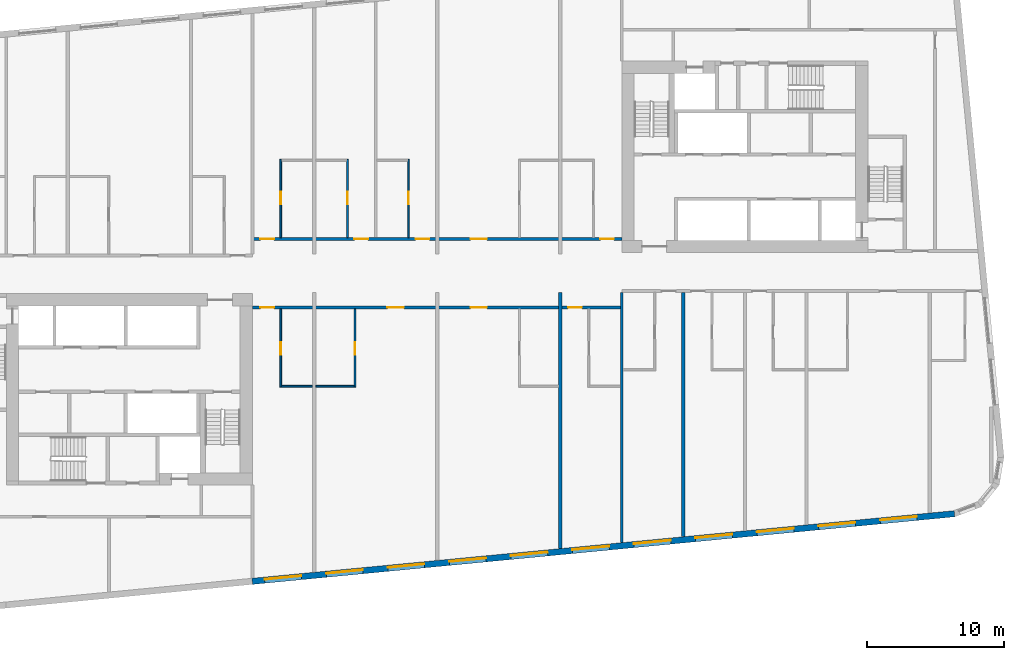
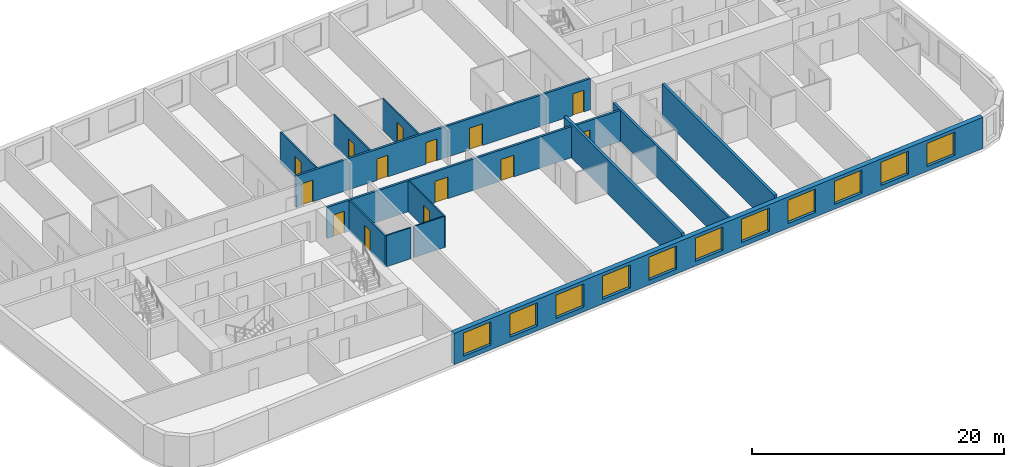
# One storey, part 4 of 12: 14 doors, 13 walls, 11 windows, 25 openings.
"""IFC4 building model written with IfcOpenShell, lengths in metres."""

from ifc_helpers import new_model, si_unit, direction, frame, frame_2d, origin, place, context, subcontext, project, spatial, rectangle, extrude, material, layer, layer_set, type_object, element, fill, save


model = new_model("IFC4")

# Units and contexts
model_context = context("Model", 3, precision=1e-05, world=origin(), true_north=direction((0.0, 1.0)))
body_context = subcontext(model_context, "Body", "Model", "MODEL_VIEW")
ifc_project = project(units=[si_unit("LENGTHUNIT", "METRE"), si_unit("AREAUNIT", "SQUARE_METRE"), si_unit("VOLUMEUNIT", "CUBIC_METRE"), si_unit("PLANEANGLEUNIT", "RADIAN"), si_unit("MASSUNIT", "GRAM", prefix="KILO")], contexts=[model_context])

# Site, building, storey
site_placement = place(None, origin())
site = spatial("IfcSite", under=ifc_project, at=site_placement, CompositionType="ELEMENT")
building_placement = place(site_placement, origin())
building = spatial("IfcBuilding", under=site, at=building_placement, Name="Kajstack Hotel Tower", CompositionType="ELEMENT")
storey_placement = place(building_placement, frame((0.0, 0.0, 173.5)))
storey = spatial("IfcBuildingStorey", under=building, at=storey_placement, Name="L40", CompositionType="ELEMENT", Elevation=173.5)

# Wall, openings, doors
ifc_material_1 = material(Name="Gypsum board on steel studs, mineral wool", Category="steel")
ifc_layer_1 = layer(ifc_material_1, 0.199951171875)
ifc_layer_set_1 = layer_set([ifc_layer_1], Name="Corridor wall 200")
wall_type_1 = type_object("IfcWallType", Name="Corridor wall 200", PredefinedType="PARTITIONING", material=ifc_layer_set_1)
wall_1_placement = place(storey_placement, frame((-13.5, 2.5, 0.0), z_axis=(0.0, 0.0, 1.0), x_axis=(1.0, 0.0, 0.0)))
wall_1 = element("IfcWall", 1, at=wall_1_placement, inside=storey, type_object=wall_type_1, Name="G-wall-L40-004", PredefinedType="PARTITIONING", context=body_context, shape_type="SweptSolid", body=[
    extrude(rectangle(XDim=27.0, YDim=0.199951171875, at=frame_2d((13.5, 0.0))), origin(), (0.0, 0.0, 1.0), 3.02001953125),
])
opening_1_placement = place(wall_1_placement, frame((0.574951171875, 0.0, 0.0)))
opening_1 = element("IfcOpeningElement", 2, at=opening_1_placement, cuts=wall_1, Name="Opening 40013", PredefinedType="OPENING", context=body_context, shape_type="SweptSolid", body=[
    extrude(rectangle(XDim=1.0, YDim=2.10009765625, at=frame_2d((0.5, 1.050048828125))), frame((0.0, 0.10986328125, 0.0), z_axis=(0.0, -1.0, 0.0), x_axis=(1.0, 0.0, 0.0)), (0.0, 0.0, 1.0), 0.219970703125),
])
opening_2_placement = place(wall_1_placement, frame((7.449951171875, 0.0, 0.0)))
opening_2 = element("IfcOpeningElement", 3, at=opening_2_placement, cuts=wall_1, Name="Opening 40015", PredefinedType="OPENING", context=body_context, shape_type="SweptSolid", body=[
    extrude(rectangle(XDim=1.0, YDim=2.10009765625, at=frame_2d((0.5, 1.050048828125))), frame((0.0, 0.10986328125, 0.0), z_axis=(0.0, -1.0, 0.0), x_axis=(1.0, 0.0, 0.0)), (0.0, 0.0, 1.0), 0.219970703125),
])
opening_3_placement = place(wall_1_placement, frame((11.925048828125, 0.0, 0.0)))
opening_3 = element("IfcOpeningElement", 4, at=opening_3_placement, cuts=wall_1, Name="Opening 40017", PredefinedType="OPENING", context=body_context, shape_type="SweptSolid", body=[
    extrude(rectangle(XDim=1.0, YDim=2.10009765625, at=frame_2d((0.5, 1.050048828125))), frame((0.0, 0.10986328125, 0.0), z_axis=(0.0, -1.0, 0.0), x_axis=(1.0, 0.0, 0.0)), (0.0, 0.0, 1.0), 0.219970703125),
])
opening_4_placement = place(wall_1_placement, frame((15.93798828125, 0.0, 0.0)))
opening_4 = element("IfcOpeningElement", 5, at=opening_4_placement, cuts=wall_1, Name="Opening 40019", PredefinedType="OPENING", context=body_context, shape_type="SweptSolid", body=[
    extrude(rectangle(XDim=1.199951171875, YDim=2.10009765625, at=frame_2d((0.60009765625, 1.050048828125))), frame((0.0, 0.10986328125, 0.0), z_axis=(0.0, -1.0, 0.0), x_axis=(1.0, 0.0, 0.0)), (0.0, 0.0, 1.0), 0.219970703125),
])
opening_5_placement = place(wall_1_placement, frame((25.425048828125, 0.0, 0.0)))
opening_5 = element("IfcOpeningElement", 6, at=opening_5_placement, cuts=wall_1, Name="Opening 40021", PredefinedType="OPENING", context=body_context, shape_type="SweptSolid", body=[
    extrude(rectangle(XDim=1.0, YDim=2.10009765625, at=frame_2d((0.5, 1.050048828125))), frame((0.0, 0.10986328125, 0.0), z_axis=(0.0, -1.0, 0.0), x_axis=(1.0, 0.0, 0.0)), (0.0, 0.0, 1.0), 0.219970703125),
])
ifc_material_2 = material(Name="Oak veneer on timber core, fire-rated leaf", Category="wood")
door_type_1 = type_object("IfcDoorType", Name="Flat entrance door 1000", OperationType="SINGLE_SWING_LEFT", PredefinedType="DOOR", material=ifc_material_2)
door_1_placement = place(opening_1_placement, origin())
door_1 = element("IfcDoor", 7, at=door_1_placement, inside=storey, type_object=door_type_1, Name="G-door-L40-13", OperationType="SINGLE_SWING_RIGHT", OverallHeight=2.10009765625, OverallWidth=1.0, PredefinedType="DOOR", context=body_context, shape_type="SweptSolid", body=[
    extrude(rectangle(XDim=1.0, YDim=2.10009765625, at=frame_2d((0.5, 1.050048828125))), frame((0.0, 0.02490234375, 0.0), z_axis=(0.0, -1.0, 0.0), x_axis=(1.0, 0.0, 0.0)), (0.0, 0.0, 1.0), 0.050048828125),
])
fill(opening_1, door_1)
door_2_placement = place(opening_2_placement, origin())
door_2 = element("IfcDoor", 8, at=door_2_placement, inside=storey, type_object=door_type_1, Name="G-door-L40-15", OperationType="SINGLE_SWING_LEFT", OverallHeight=2.10009765625, OverallWidth=1.0, PredefinedType="DOOR", context=body_context, shape_type="SweptSolid", body=[
    extrude(rectangle(XDim=1.0, YDim=2.10009765625, at=frame_2d((0.5, 1.050048828125))), frame((0.0, 0.02490234375, 0.0), z_axis=(0.0, -1.0, 0.0), x_axis=(1.0, 0.0, 0.0)), (0.0, 0.0, 1.0), 0.050048828125),
])
fill(opening_2, door_2)
door_3_placement = place(opening_3_placement, origin())
door_3 = element("IfcDoor", 9, at=door_3_placement, inside=storey, type_object=door_type_1, Name="G-door-L40-17", OperationType="SINGLE_SWING_RIGHT", OverallHeight=2.10009765625, OverallWidth=1.0, PredefinedType="DOOR", context=body_context, shape_type="SweptSolid", body=[
    extrude(rectangle(XDim=1.0, YDim=2.10009765625, at=frame_2d((0.5, 1.050048828125))), frame((0.0, 0.02490234375, 0.0), z_axis=(0.0, -1.0, 0.0), x_axis=(1.0, 0.0, 0.0)), (0.0, 0.0, 1.0), 0.050048828125),
])
fill(opening_3, door_3)
door_4_placement = place(opening_5_placement, origin())
door_4 = element("IfcDoor", 10, at=door_4_placement, inside=storey, type_object=door_type_1, Name="G-door-L40-21", OperationType="SINGLE_SWING_LEFT", OverallHeight=2.10009765625, OverallWidth=1.0, PredefinedType="DOOR", context=body_context, shape_type="SweptSolid", body=[
    extrude(rectangle(XDim=1.0, YDim=2.10009765625, at=frame_2d((0.5, 1.050048828125))), frame((0.0, 0.02490234375, 0.0), z_axis=(0.0, -1.0, 0.0), x_axis=(1.0, 0.0, 0.0)), (0.0, 0.0, 1.0), 0.050048828125),
])
fill(opening_5, door_4)
door_type_2 = type_object("IfcDoorType", Name="Flat entrance door 1200", OperationType="SINGLE_SWING_LEFT", PredefinedType="DOOR", material=ifc_material_2)
door_5_placement = place(opening_4_placement, origin())
door_5 = element("IfcDoor", 11, at=door_5_placement, inside=storey, type_object=door_type_2, Name="G-door-L40-19", OperationType="SINGLE_SWING_RIGHT", OverallHeight=2.10009765625, OverallWidth=1.199951171875, PredefinedType="DOOR", context=body_context, shape_type="SweptSolid", body=[
    extrude(rectangle(XDim=1.199951171875, YDim=2.10009765625, at=frame_2d((0.60009765625, 1.050048828125))), frame((0.0, 0.02490234375, 0.0), z_axis=(0.0, -1.0, 0.0), x_axis=(1.0, 0.0, 0.0)), (0.0, 0.0, 1.0), 0.050048828125),
])
fill(opening_4, door_5)

wall_2_placement = place(storey_placement, frame((-13.5, -2.5, 0.0), z_axis=(0.0, 0.0, 1.0), x_axis=(1.0, 0.0, 0.0)))
wall_2 = element("IfcWall", 12, at=wall_2_placement, inside=storey, type_object=wall_type_1, Name="G-wall-L40-031", PredefinedType="PARTITIONING", context=body_context, shape_type="SweptSolid", body=[
    extrude(rectangle(XDim=27.0, YDim=0.199951171875, at=frame_2d((13.5, 0.0))), origin(), (0.0, 0.0, 1.0), 3.02001953125),
])
opening_6_placement = place(wall_2_placement, frame((0.574951171875, 0.0, 0.0)))
opening_6 = element("IfcOpeningElement", 13, at=opening_6_placement, cuts=wall_2, Name="Opening 40023", PredefinedType="OPENING", context=body_context, shape_type="SweptSolid", body=[
    extrude(rectangle(XDim=1.0, YDim=2.10009765625, at=frame_2d((0.5, 1.050048828125))), frame((0.0, 0.10986328125, 0.0), z_axis=(0.0, -1.0, 0.0), x_axis=(1.0, 0.0, 0.0)), (0.0, 0.0, 1.0), 0.219970703125),
])
opening_7_placement = place(wall_2_placement, frame((9.863037109375, 0.0, 0.0)))
opening_7 = element("IfcOpeningElement", 14, at=opening_7_placement, cuts=wall_2, Name="Opening 40025", PredefinedType="OPENING", context=body_context, shape_type="SweptSolid", body=[
    extrude(rectangle(XDim=1.199951171875, YDim=2.10009765625, at=frame_2d((0.60009765625, 1.050048828125))), frame((0.0, 0.10986328125, 0.0), z_axis=(0.0, -1.0, 0.0), x_axis=(1.0, 0.0, 0.0)), (0.0, 0.0, 1.0), 0.219970703125),
])
opening_8_placement = place(wall_2_placement, frame((15.93798828125, 0.0, 0.0)))
opening_8 = element("IfcOpeningElement", 15, at=opening_8_placement, cuts=wall_2, Name="Opening 40027", PredefinedType="OPENING", context=body_context, shape_type="SweptSolid", body=[
    extrude(rectangle(XDim=1.199951171875, YDim=2.10009765625, at=frame_2d((0.60009765625, 1.050048828125))), frame((0.0, 0.10986328125, 0.0), z_axis=(0.0, -1.0, 0.0), x_axis=(1.0, 0.0, 0.0)), (0.0, 0.0, 1.0), 0.219970703125),
])
opening_9_placement = place(wall_2_placement, frame((23.074951171875, 0.0, 0.0)))
opening_9 = element("IfcOpeningElement", 16, at=opening_9_placement, cuts=wall_2, Name="Opening 40029", PredefinedType="OPENING", context=body_context, shape_type="SweptSolid", body=[
    extrude(rectangle(XDim=1.0, YDim=2.10009765625, at=frame_2d((0.5, 1.050048828125))), frame((0.0, 0.10986328125, 0.0), z_axis=(0.0, -1.0, 0.0), x_axis=(1.0, 0.0, 0.0)), (0.0, 0.0, 1.0), 0.219970703125),
])
door_6_placement = place(opening_6_placement, origin())
door_6 = element("IfcDoor", 17, at=door_6_placement, inside=storey, type_object=door_type_1, Name="G-door-L40-23", OperationType="SINGLE_SWING_LEFT", OverallHeight=2.10009765625, OverallWidth=1.0, PredefinedType="DOOR", context=body_context, shape_type="SweptSolid", body=[
    extrude(rectangle(XDim=1.0, YDim=2.10009765625, at=frame_2d((0.5, 1.050048828125))), frame((0.0, 0.02490234375, 0.0), z_axis=(0.0, -1.0, 0.0), x_axis=(1.0, 0.0, 0.0)), (0.0, 0.0, 1.0), 0.050048828125),
])
fill(opening_6, door_6)
door_7_placement = place(opening_9_placement, origin())
door_7 = element("IfcDoor", 18, at=door_7_placement, inside=storey, type_object=door_type_1, Name="G-door-L40-29", OperationType="SINGLE_SWING_RIGHT", OverallHeight=2.10009765625, OverallWidth=1.0, PredefinedType="DOOR", context=body_context, shape_type="SweptSolid", body=[
    extrude(rectangle(XDim=1.0, YDim=2.10009765625, at=frame_2d((0.5, 1.050048828125))), frame((0.0, 0.02490234375, 0.0), z_axis=(0.0, -1.0, 0.0), x_axis=(1.0, 0.0, 0.0)), (0.0, 0.0, 1.0), 0.050048828125),
])
fill(opening_9, door_7)
door_8_placement = place(opening_7_placement, origin())
door_8 = element("IfcDoor", 19, at=door_8_placement, inside=storey, type_object=door_type_2, Name="G-door-L40-25", OperationType="SINGLE_SWING_LEFT", OverallHeight=2.10009765625, OverallWidth=1.199951171875, PredefinedType="DOOR", context=body_context, shape_type="SweptSolid", body=[
    extrude(rectangle(XDim=1.199951171875, YDim=2.10009765625, at=frame_2d((0.60009765625, 1.050048828125))), frame((0.0, 0.02490234375, 0.0), z_axis=(0.0, -1.0, 0.0), x_axis=(1.0, 0.0, 0.0)), (0.0, 0.0, 1.0), 0.050048828125),
])
fill(opening_7, door_8)
door_9_placement = place(opening_8_placement, origin())
door_9 = element("IfcDoor", 20, at=door_9_placement, inside=storey, type_object=door_type_2, Name="G-door-L40-27", OperationType="SINGLE_SWING_LEFT", OverallHeight=2.10009765625, OverallWidth=1.199951171875, PredefinedType="DOOR", context=body_context, shape_type="SweptSolid", body=[
    extrude(rectangle(XDim=1.199951171875, YDim=2.10009765625, at=frame_2d((0.60009765625, 1.050048828125))), frame((0.0, 0.02490234375, 0.0), z_axis=(0.0, -1.0, 0.0), x_axis=(1.0, 0.0, 0.0)), (0.0, 0.0, 1.0), 0.050048828125),
])
fill(opening_8, door_9)

# Wall
ifc_material_3 = material(Name="Twin-frame gypsum board on steel studs, mineral wool", Category="steel")
ifc_layer_2 = layer(ifc_material_3, 0.199951171875)
ifc_layer_set_2 = layer_set([ifc_layer_2], Name="Demising wall 200")
wall_type_2 = type_object("IfcWallType", Name="Demising wall 200", PredefinedType="PARTITIONING", material=ifc_layer_set_2)
wall_3_placement = place(storey_placement, frame((13.5, -19.700927734375, 0.0), z_axis=(0.0, 0.0, 1.0), x_axis=(0.0, 1.0, 0.0)))
element("IfcWall", 21, at=wall_3_placement, inside=storey, type_object=wall_type_2, Name="G-wall-L40-039", PredefinedType="PARTITIONING", context=body_context, shape_type="SweptSolid", body=[
    extrude(rectangle(XDim=18.301025390625, YDim=0.199951171875, at=frame_2d((9.150390625, 0.0))), origin(), (0.0, 0.0, 1.0), 3.02001953125),
])

# Wall, openings, windows
ifc_material_4 = material(Name="Terracotta-faced brick masonry", Category="masonry")
ifc_layer_3 = layer(ifc_material_4, 0.449951171875)
ifc_layer_set_3 = layer_set([ifc_layer_3], Name="EW-TERRA")
wall_type_3 = type_object("IfcWallType", Name="EW-TERRA", PredefinedType="SOLIDWALL", material=ifc_layer_set_3)
wall_4_placement = place(storey_placement, frame((-13.521484375, -22.528564453125, 0.0), z_axis=(0.0, 0.0, 1.0), x_axis=(0.995396436651, 0.095843277819, 0.0)))
wall_4 = element("IfcWall", 22, at=wall_4_placement, inside=storey, type_object=wall_type_3, Name="E-wall-L40-04-02", PredefinedType="SOLIDWALL", context=body_context, shape_type="SweptSolid", body=[
    extrude(rectangle(XDim=51.57763671875, YDim=0.449951171875, at=frame_2d((25.788818359375, 0.0))), origin(), (0.0, 0.0, 1.0), 3.02001953125),
])
opening_10_placement = place(wall_4_placement, frame((0.910400390625, 0.0, 0.449951171875)))
opening_10 = element("IfcOpeningElement", 23, at=opening_10_placement, cuts=wall_4, Name="Opening W1", PredefinedType="OPENING", context=body_context, shape_type="SweptSolid", body=[
    extrude(rectangle(XDim=2.699951171875, YDim=2.25, at=frame_2d((1.35009765625, 1.125))), frame((0.0, 0.23486328125, 0.0), z_axis=(0.0, -1.0, 0.0), x_axis=(1.0, 0.0, 0.0)), (0.0, 0.0, 1.0), 0.469970703125),
])
opening_11_placement = place(wall_4_placement, frame((5.431396484375, 0.0, 0.449951171875)))
opening_11 = element("IfcOpeningElement", 24, at=opening_11_placement, cuts=wall_4, Name="Opening W1", PredefinedType="OPENING", context=body_context, shape_type="SweptSolid", body=[
    extrude(rectangle(XDim=2.699951171875, YDim=2.25, at=frame_2d((1.35009765625, 1.125))), frame((0.0, 0.23486328125, 0.0), z_axis=(0.0, -1.0, 0.0), x_axis=(1.0, 0.0, 0.0)), (0.0, 0.0, 1.0), 0.469970703125),
])
opening_12_placement = place(wall_4_placement, frame((9.9521484375, 0.0, 0.449951171875)))
opening_12 = element("IfcOpeningElement", 25, at=opening_12_placement, cuts=wall_4, Name="Opening W1", PredefinedType="OPENING", context=body_context, shape_type="SweptSolid", body=[
    extrude(rectangle(XDim=2.699951171875, YDim=2.25, at=frame_2d((1.35009765625, 1.125))), frame((0.0, 0.23486328125, 0.0), z_axis=(0.0, -1.0, 0.0), x_axis=(1.0, 0.0, 0.0)), (0.0, 0.0, 1.0), 0.469970703125),
])
opening_13_placement = place(wall_4_placement, frame((14.472900390625, 0.0, 0.449951171875)))
opening_13 = element("IfcOpeningElement", 26, at=opening_13_placement, cuts=wall_4, Name="Opening W1", PredefinedType="OPENING", context=body_context, shape_type="SweptSolid", body=[
    extrude(rectangle(XDim=2.699951171875, YDim=2.25, at=frame_2d((1.35009765625, 1.125))), frame((0.0, 0.23486328125, 0.0), z_axis=(0.0, -1.0, 0.0), x_axis=(1.0, 0.0, 0.0)), (0.0, 0.0, 1.0), 0.469970703125),
])
opening_14_placement = place(wall_4_placement, frame((18.99365234375, 0.0, 0.449951171875)))
opening_14 = element("IfcOpeningElement", 27, at=opening_14_placement, cuts=wall_4, Name="Opening W1", PredefinedType="OPENING", context=body_context, shape_type="SweptSolid", body=[
    extrude(rectangle(XDim=2.699951171875, YDim=2.25, at=frame_2d((1.35009765625, 1.125))), frame((0.0, 0.23486328125, 0.0), z_axis=(0.0, -1.0, 0.0), x_axis=(1.0, 0.0, 0.0)), (0.0, 0.0, 1.0), 0.469970703125),
])
opening_15_placement = place(wall_4_placement, frame((23.514404296875, 0.0, 0.449951171875)))
opening_15 = element("IfcOpeningElement", 28, at=opening_15_placement, cuts=wall_4, Name="Opening W1", PredefinedType="OPENING", context=body_context, shape_type="SweptSolid", body=[
    extrude(rectangle(XDim=2.699951171875, YDim=2.25, at=frame_2d((1.35009765625, 1.125))), frame((0.0, 0.23486328125, 0.0), z_axis=(0.0, -1.0, 0.0), x_axis=(1.0, 0.0, 0.0)), (0.0, 0.0, 1.0), 0.469970703125),
])
opening_16_placement = place(wall_4_placement, frame((28.035400390625, 0.0, 0.449951171875)))
opening_16 = element("IfcOpeningElement", 29, at=opening_16_placement, cuts=wall_4, Name="Opening W1", PredefinedType="OPENING", context=body_context, shape_type="SweptSolid", body=[
    extrude(rectangle(XDim=2.699951171875, YDim=2.25, at=frame_2d((1.35009765625, 1.125))), frame((0.0, 0.23486328125, 0.0), z_axis=(0.0, -1.0, 0.0), x_axis=(1.0, 0.0, 0.0)), (0.0, 0.0, 1.0), 0.469970703125),
])
opening_17_placement = place(wall_4_placement, frame((32.55615234375, 0.0, 0.449951171875)))
opening_17 = element("IfcOpeningElement", 30, at=opening_17_placement, cuts=wall_4, Name="Opening W1", PredefinedType="OPENING", context=body_context, shape_type="SweptSolid", body=[
    extrude(rectangle(XDim=2.699951171875, YDim=2.25, at=frame_2d((1.35009765625, 1.125))), frame((0.0, 0.23486328125, 0.0), z_axis=(0.0, -1.0, 0.0), x_axis=(1.0, 0.0, 0.0)), (0.0, 0.0, 1.0), 0.469970703125),
])
opening_18_placement = place(wall_4_placement, frame((37.076904296875, 0.0, 0.449951171875)))
opening_18 = element("IfcOpeningElement", 31, at=opening_18_placement, cuts=wall_4, Name="Opening W1", PredefinedType="OPENING", context=body_context, shape_type="SweptSolid", body=[
    extrude(rectangle(XDim=2.699951171875, YDim=2.25, at=frame_2d((1.35009765625, 1.125))), frame((0.0, 0.23486328125, 0.0), z_axis=(0.0, -1.0, 0.0), x_axis=(1.0, 0.0, 0.0)), (0.0, 0.0, 1.0), 0.469970703125),
])
opening_19_placement = place(wall_4_placement, frame((41.597900390625, 0.0, 0.449951171875)))
opening_19 = element("IfcOpeningElement", 32, at=opening_19_placement, cuts=wall_4, Name="Opening W1", PredefinedType="OPENING", context=body_context, shape_type="SweptSolid", body=[
    extrude(rectangle(XDim=2.699951171875, YDim=2.25, at=frame_2d((1.35009765625, 1.125))), frame((0.0, 0.23486328125, 0.0), z_axis=(0.0, -1.0, 0.0), x_axis=(1.0, 0.0, 0.0)), (0.0, 0.0, 1.0), 0.469970703125),
])
opening_20_placement = place(wall_4_placement, frame((46.11865234375, 0.0, 0.449951171875)))
opening_20 = element("IfcOpeningElement", 33, at=opening_20_placement, cuts=wall_4, Name="Opening W1", PredefinedType="OPENING", context=body_context, shape_type="SweptSolid", body=[
    extrude(rectangle(XDim=2.699951171875, YDim=2.25, at=frame_2d((1.35009765625, 1.125))), frame((0.0, 0.23486328125, 0.0), z_axis=(0.0, -1.0, 0.0), x_axis=(1.0, 0.0, 0.0)), (0.0, 0.0, 1.0), 0.469970703125),
])
ifc_material_5 = material(Name="Timber-aluminium window, triple glazed", Category="wood")
window_type = type_object("IfcWindowType", Name="WG1", PartitioningType="SINGLE_PANEL", PredefinedType="WINDOW", material=ifc_material_5)
window_1_placement = place(opening_10_placement, origin())
window_1 = element("IfcWindow", 34, at=window_1_placement, inside=storey, type_object=window_type, Name="Window W1 L40-04", OverallHeight=2.25, OverallWidth=2.699951171875, PartitioningType="SINGLE_PANEL", PredefinedType="WINDOW", context=body_context, shape_type="SweptSolid", body=[
    extrude(rectangle(XDim=2.699951171875, YDim=2.25, at=frame_2d((1.35009765625, 1.125))), frame((0.0, 0.090087890625, 0.0), z_axis=(0.0, -1.0, 0.0), x_axis=(1.0, 0.0, 0.0)), (0.0, 0.0, 1.0), 0.06005859375),
])
fill(opening_10, window_1)
window_2_placement = place(opening_11_placement, origin())
window_2 = element("IfcWindow", 35, at=window_2_placement, inside=storey, type_object=window_type, Name="Window W1 L40-04", OverallHeight=2.25, OverallWidth=2.699951171875, PartitioningType="SINGLE_PANEL", PredefinedType="WINDOW", context=body_context, shape_type="SweptSolid", body=[
    extrude(rectangle(XDim=2.699951171875, YDim=2.25, at=frame_2d((1.35009765625, 1.125))), frame((0.0, 0.090087890625, 0.0), z_axis=(0.0, -1.0, 0.0), x_axis=(1.0, 0.0, 0.0)), (0.0, 0.0, 1.0), 0.06005859375),
])
fill(opening_11, window_2)
window_3_placement = place(opening_12_placement, origin())
window_3 = element("IfcWindow", 36, at=window_3_placement, inside=storey, type_object=window_type, Name="Window W1 L40-04", OverallHeight=2.25, OverallWidth=2.699951171875, PartitioningType="SINGLE_PANEL", PredefinedType="WINDOW", context=body_context, shape_type="SweptSolid", body=[
    extrude(rectangle(XDim=2.699951171875, YDim=2.25, at=frame_2d((1.35009765625, 1.125))), frame((0.0, 0.090087890625, 0.0), z_axis=(0.0, -1.0, 0.0), x_axis=(1.0, 0.0, 0.0)), (0.0, 0.0, 1.0), 0.06005859375),
])
fill(opening_12, window_3)
window_4_placement = place(opening_13_placement, origin())
window_4 = element("IfcWindow", 37, at=window_4_placement, inside=storey, type_object=window_type, Name="Window W1 L40-04", OverallHeight=2.25, OverallWidth=2.699951171875, PartitioningType="SINGLE_PANEL", PredefinedType="WINDOW", context=body_context, shape_type="SweptSolid", body=[
    extrude(rectangle(XDim=2.699951171875, YDim=2.25, at=frame_2d((1.35009765625, 1.125))), frame((0.0, 0.090087890625, 0.0), z_axis=(0.0, -1.0, 0.0), x_axis=(1.0, 0.0, 0.0)), (0.0, 0.0, 1.0), 0.06005859375),
])
fill(opening_13, window_4)
window_5_placement = place(opening_14_placement, origin())
window_5 = element("IfcWindow", 38, at=window_5_placement, inside=storey, type_object=window_type, Name="Window W1 L40-04", OverallHeight=2.25, OverallWidth=2.699951171875, PartitioningType="SINGLE_PANEL", PredefinedType="WINDOW", context=body_context, shape_type="SweptSolid", body=[
    extrude(rectangle(XDim=2.699951171875, YDim=2.25, at=frame_2d((1.35009765625, 1.125))), frame((0.0, 0.090087890625, 0.0), z_axis=(0.0, -1.0, 0.0), x_axis=(1.0, 0.0, 0.0)), (0.0, 0.0, 1.0), 0.06005859375),
])
fill(opening_14, window_5)
window_6_placement = place(opening_15_placement, origin())
window_6 = element("IfcWindow", 39, at=window_6_placement, inside=storey, type_object=window_type, Name="Window W1 L40-04", OverallHeight=2.25, OverallWidth=2.699951171875, PartitioningType="SINGLE_PANEL", PredefinedType="WINDOW", context=body_context, shape_type="SweptSolid", body=[
    extrude(rectangle(XDim=2.699951171875, YDim=2.25, at=frame_2d((1.35009765625, 1.125))), frame((0.0, 0.090087890625, 0.0), z_axis=(0.0, -1.0, 0.0), x_axis=(1.0, 0.0, 0.0)), (0.0, 0.0, 1.0), 0.06005859375),
])
fill(opening_15, window_6)
window_7_placement = place(opening_16_placement, origin())
window_7 = element("IfcWindow", 40, at=window_7_placement, inside=storey, type_object=window_type, Name="Window W1 L40-04", OverallHeight=2.25, OverallWidth=2.699951171875, PartitioningType="SINGLE_PANEL", PredefinedType="WINDOW", context=body_context, shape_type="SweptSolid", body=[
    extrude(rectangle(XDim=2.699951171875, YDim=2.25, at=frame_2d((1.35009765625, 1.125))), frame((0.0, 0.090087890625, 0.0), z_axis=(0.0, -1.0, 0.0), x_axis=(1.0, 0.0, 0.0)), (0.0, 0.0, 1.0), 0.06005859375),
])
fill(opening_16, window_7)
window_8_placement = place(opening_17_placement, origin())
window_8 = element("IfcWindow", 41, at=window_8_placement, inside=storey, type_object=window_type, Name="Window W1 L40-04", OverallHeight=2.25, OverallWidth=2.699951171875, PartitioningType="SINGLE_PANEL", PredefinedType="WINDOW", context=body_context, shape_type="SweptSolid", body=[
    extrude(rectangle(XDim=2.699951171875, YDim=2.25, at=frame_2d((1.35009765625, 1.125))), frame((0.0, 0.090087890625, 0.0), z_axis=(0.0, -1.0, 0.0), x_axis=(1.0, 0.0, 0.0)), (0.0, 0.0, 1.0), 0.06005859375),
])
fill(opening_17, window_8)
window_9_placement = place(opening_18_placement, origin())
window_9 = element("IfcWindow", 42, at=window_9_placement, inside=storey, type_object=window_type, Name="Window W1 L40-04", OverallHeight=2.25, OverallWidth=2.699951171875, PartitioningType="SINGLE_PANEL", PredefinedType="WINDOW", context=body_context, shape_type="SweptSolid", body=[
    extrude(rectangle(XDim=2.699951171875, YDim=2.25, at=frame_2d((1.35009765625, 1.125))), frame((0.0, 0.090087890625, 0.0), z_axis=(0.0, -1.0, 0.0), x_axis=(1.0, 0.0, 0.0)), (0.0, 0.0, 1.0), 0.06005859375),
])
fill(opening_18, window_9)
window_10_placement = place(opening_19_placement, origin())
window_10 = element("IfcWindow", 43, at=window_10_placement, inside=storey, type_object=window_type, Name="Window W1 L40-04", OverallHeight=2.25, OverallWidth=2.699951171875, PartitioningType="SINGLE_PANEL", PredefinedType="WINDOW", context=body_context, shape_type="SweptSolid", body=[
    extrude(rectangle(XDim=2.699951171875, YDim=2.25, at=frame_2d((1.35009765625, 1.125))), frame((0.0, 0.090087890625, 0.0), z_axis=(0.0, -1.0, 0.0), x_axis=(1.0, 0.0, 0.0)), (0.0, 0.0, 1.0), 0.06005859375),
])
fill(opening_19, window_10)
window_11_placement = place(opening_20_placement, origin())
window_11 = element("IfcWindow", 44, at=window_11_placement, inside=storey, type_object=window_type, Name="Window W1 L40-04", OverallHeight=2.25, OverallWidth=2.699951171875, PartitioningType="SINGLE_PANEL", PredefinedType="WINDOW", context=body_context, shape_type="SweptSolid", body=[
    extrude(rectangle(XDim=2.699951171875, YDim=2.25, at=frame_2d((1.35009765625, 1.125))), frame((0.0, 0.090087890625, 0.0), z_axis=(0.0, -1.0, 0.0), x_axis=(1.0, 0.0, 0.0)), (0.0, 0.0, 1.0), 0.06005859375),
])
fill(opening_20, window_11)

# Wall, opening, door
ifc_material_6 = material(Name="Gypsum board and tiled backer on steel studs", Category="steel")
ifc_layer_4 = layer(ifc_material_6, 0.125)
ifc_layer_set_4 = layer_set([ifc_layer_4], Name="En-suite wall 125")
wall_type_4 = type_object("IfcWallType", Name="En-suite wall 125", PredefinedType="PARTITIONING", material=ifc_layer_set_4)
wall_5_placement = place(storey_placement, frame((-11.43798828125, 2.60009765625, 0.0), z_axis=(0.0, 0.0, 1.0), x_axis=(0.0, 1.0, 0.0)))
wall_5 = element("IfcWall", 45, at=wall_5_placement, inside=storey, type_object=wall_type_4, Name="G-wall-L40-020", PredefinedType="PARTITIONING", context=body_context, shape_type="SweptSolid", body=[
    extrude(rectangle(XDim=5.724853515625, YDim=0.125, at=frame_2d((2.8623046875, 0.0))), origin(), (0.0, 0.0, 1.0), 3.02001953125),
])
opening_21_placement = place(wall_5_placement, frame((2.449951171875, 0.0, 0.0)))
opening_21 = element("IfcOpeningElement", 46, at=opening_21_placement, cuts=wall_5, Name="Opening 40014", PredefinedType="OPENING", context=body_context, shape_type="SweptSolid", body=[
    extrude(rectangle(XDim=0.89990234375, YDim=2.10009765625, at=frame_2d((0.449951171875, 1.050048828125))), frame((0.0, 0.072509765625, 0.0), z_axis=(0.0, -1.0, 0.0), x_axis=(1.0, 0.0, 0.0)), (0.0, 0.0, 1.0), 0.14501953125),
])
ifc_material_7 = material(Name="Painted timber door leaf", Category="wood")
door_type_3 = type_object("IfcDoorType", Name="Room door 900", OperationType="SINGLE_SWING_LEFT", PredefinedType="DOOR", material=ifc_material_7)
door_10_placement = place(opening_21_placement, origin())
door_10 = element("IfcDoor", 47, at=door_10_placement, inside=storey, type_object=door_type_3, Name="G-door-L40-14", OperationType="SINGLE_SWING_LEFT", OverallHeight=2.10009765625, OverallWidth=0.89990234375, PredefinedType="DOOR", context=body_context, shape_type="SweptSolid", body=[
    extrude(rectangle(XDim=0.89990234375, YDim=2.10009765625, at=frame_2d((0.449951171875, 1.050048828125))), frame((0.0, 0.02490234375, 0.0), z_axis=(0.0, -1.0, 0.0), x_axis=(1.0, 0.0, 0.0)), (0.0, 0.0, 1.0), 0.050048828125),
])
fill(opening_21, door_10)

wall_6_placement = place(storey_placement, frame((-6.56201171875, 2.60009765625, 0.0), z_axis=(0.0, 0.0, 1.0), x_axis=(0.0, 1.0, 0.0)))
wall_6 = element("IfcWall", 48, at=wall_6_placement, inside=storey, type_object=wall_type_4, Name="G-wall-L40-023", PredefinedType="PARTITIONING", context=body_context, shape_type="SweptSolid", body=[
    extrude(rectangle(XDim=5.724853515625, YDim=0.125, at=frame_2d((2.8623046875, 0.0))), origin(), (0.0, 0.0, 1.0), 3.02001953125),
])
opening_22_placement = place(wall_6_placement, frame((2.449951171875, 0.0, 0.0)))
opening_22 = element("IfcOpeningElement", 49, at=opening_22_placement, cuts=wall_6, Name="Opening 40016", PredefinedType="OPENING", context=body_context, shape_type="SweptSolid", body=[
    extrude(rectangle(XDim=0.89990234375, YDim=2.10009765625, at=frame_2d((0.449951171875, 1.050048828125))), frame((0.0, 0.072509765625, 0.0), z_axis=(0.0, -1.0, 0.0), x_axis=(1.0, 0.0, 0.0)), (0.0, 0.0, 1.0), 0.14501953125),
])
door_11_placement = place(opening_22_placement, origin())
door_11 = element("IfcDoor", 50, at=door_11_placement, inside=storey, type_object=door_type_3, Name="G-door-L40-16", OperationType="SINGLE_SWING_LEFT", OverallHeight=2.10009765625, OverallWidth=0.89990234375, PredefinedType="DOOR", context=body_context, shape_type="SweptSolid", body=[
    extrude(rectangle(XDim=0.89990234375, YDim=2.10009765625, at=frame_2d((0.449951171875, 1.050048828125))), frame((0.0, 0.02490234375, 0.0), z_axis=(0.0, -1.0, 0.0), x_axis=(1.0, 0.0, 0.0)), (0.0, 0.0, 1.0), 0.050048828125),
])
fill(opening_22, door_11)

wall_7_placement = place(storey_placement, frame((-2.0869140625, 2.60009765625, 0.0), z_axis=(0.0, 0.0, 1.0), x_axis=(0.0, 1.0, 0.0)))
wall_7 = element("IfcWall", 51, at=wall_7_placement, inside=storey, type_object=wall_type_4, Name="G-wall-L40-025", PredefinedType="PARTITIONING", context=body_context, shape_type="SweptSolid", body=[
    extrude(rectangle(XDim=5.724853515625, YDim=0.125, at=frame_2d((2.8623046875, 0.0))), origin(), (0.0, 0.0, 1.0), 3.02001953125),
])
opening_23_placement = place(wall_7_placement, frame((2.449951171875, 0.0, 0.0)))
opening_23 = element("IfcOpeningElement", 52, at=opening_23_placement, cuts=wall_7, Name="Opening 40018", PredefinedType="OPENING", context=body_context, shape_type="SweptSolid", body=[
    extrude(rectangle(XDim=0.89990234375, YDim=2.10009765625, at=frame_2d((0.449951171875, 1.050048828125))), frame((0.0, 0.072509765625, 0.0), z_axis=(0.0, -1.0, 0.0), x_axis=(1.0, 0.0, 0.0)), (0.0, 0.0, 1.0), 0.14501953125),
])
door_12_placement = place(opening_23_placement, origin())
door_12 = element("IfcDoor", 53, at=door_12_placement, inside=storey, type_object=door_type_3, Name="G-door-L40-18", OperationType="SINGLE_SWING_LEFT", OverallHeight=2.10009765625, OverallWidth=0.89990234375, PredefinedType="DOOR", context=body_context, shape_type="SweptSolid", body=[
    extrude(rectangle(XDim=0.89990234375, YDim=2.10009765625, at=frame_2d((0.449951171875, 1.050048828125))), frame((0.0, 0.02490234375, 0.0), z_axis=(0.0, -1.0, 0.0), x_axis=(1.0, 0.0, 0.0)), (0.0, 0.0, 1.0), 0.050048828125),
])
fill(opening_23, door_12)

wall_8_placement = place(storey_placement, frame((-11.43798828125, -8.324951171875, 0.0), z_axis=(0.0, 0.0, 1.0), x_axis=(0.0, 1.0, 0.0)))
wall_8 = element("IfcWall", 54, at=wall_8_placement, inside=storey, type_object=wall_type_4, Name="G-wall-L40-033", PredefinedType="PARTITIONING", context=body_context, shape_type="SweptSolid", body=[
    extrude(rectangle(XDim=5.724853515625, YDim=0.125, at=frame_2d((2.8623046875, 0.0))), origin(), (0.0, 0.0, 1.0), 3.02001953125),
])
opening_24_placement = place(wall_8_placement, frame((2.375, 0.0, 0.0)))
opening_24 = element("IfcOpeningElement", 55, at=opening_24_placement, cuts=wall_8, Name="Opening 40024", PredefinedType="OPENING", context=body_context, shape_type="SweptSolid", body=[
    extrude(rectangle(XDim=0.89990234375, YDim=2.10009765625, at=frame_2d((0.449951171875, 1.050048828125))), frame((0.0, 0.072509765625, 0.0), z_axis=(0.0, -1.0, 0.0), x_axis=(1.0, 0.0, 0.0)), (0.0, 0.0, 1.0), 0.14501953125),
])
door_13_placement = place(opening_24_placement, origin())
door_13 = element("IfcDoor", 56, at=door_13_placement, inside=storey, type_object=door_type_3, Name="G-door-L40-24", OperationType="SINGLE_SWING_RIGHT", OverallHeight=2.10009765625, OverallWidth=0.89990234375, PredefinedType="DOOR", context=body_context, shape_type="SweptSolid", body=[
    extrude(rectangle(XDim=0.89990234375, YDim=2.10009765625, at=frame_2d((0.449951171875, 1.050048828125))), frame((0.0, 0.02490234375, 0.0), z_axis=(0.0, -1.0, 0.0), x_axis=(1.0, 0.0, 0.0)), (0.0, 0.0, 1.0), 0.050048828125),
])
fill(opening_24, door_13)

# Wall
wall_9_placement = place(storey_placement, frame((-11.375, -8.261962890625, 0.0), z_axis=(0.0, 0.0, 1.0), x_axis=(1.0, 0.0, 0.0)))
element("IfcWall", 57, at=wall_9_placement, inside=storey, type_object=wall_type_4, Name="G-wall-L40-034", PredefinedType="PARTITIONING", context=body_context, shape_type="SweptSolid", body=[
    extrude(rectangle(XDim=2.25, YDim=0.125, at=frame_2d((1.125, 0.0))), origin(), (0.0, 0.0, 1.0), 3.02001953125),
])

# Wall, opening, door
wall_10_placement = place(storey_placement, frame((-6.012939453125, -8.324951171875, 0.0), z_axis=(0.0, 0.0, 1.0), x_axis=(0.0, 1.0, 0.0)))
wall_10 = element("IfcWall", 58, at=wall_10_placement, inside=storey, type_object=wall_type_4, Name="G-wall-L40-035", PredefinedType="PARTITIONING", context=body_context, shape_type="SweptSolid", body=[
    extrude(rectangle(XDim=5.724853515625, YDim=0.125, at=frame_2d((2.8623046875, 0.0))), origin(), (0.0, 0.0, 1.0), 3.02001953125),
])
opening_25_placement = place(wall_10_placement, frame((2.375, 0.0, 0.0)))
opening_25 = element("IfcOpeningElement", 59, at=opening_25_placement, cuts=wall_10, Name="Opening 40026", PredefinedType="OPENING", context=body_context, shape_type="SweptSolid", body=[
    extrude(rectangle(XDim=0.89990234375, YDim=2.10009765625, at=frame_2d((0.449951171875, 1.050048828125))), frame((0.0, 0.072509765625, 0.0), z_axis=(0.0, -1.0, 0.0), x_axis=(1.0, 0.0, 0.0)), (0.0, 0.0, 1.0), 0.14501953125),
])
door_14_placement = place(opening_25_placement, origin())
door_14 = element("IfcDoor", 60, at=door_14_placement, inside=storey, type_object=door_type_3, Name="G-door-L40-26", OperationType="SINGLE_SWING_RIGHT", OverallHeight=2.10009765625, OverallWidth=0.89990234375, PredefinedType="DOOR", context=body_context, shape_type="SweptSolid", body=[
    extrude(rectangle(XDim=0.89990234375, YDim=2.10009765625, at=frame_2d((0.449951171875, 1.050048828125))), frame((0.0, 0.02490234375, 0.0), z_axis=(0.0, -1.0, 0.0), x_axis=(1.0, 0.0, 0.0)), (0.0, 0.0, 1.0), 0.050048828125),
])
fill(opening_25, door_14)

# Walls
wall_11_placement = place(storey_placement, frame((-8.875, -8.261962890625, 0.0), z_axis=(0.0, 0.0, 1.0), x_axis=(1.0, 0.0, 0.0)))
element("IfcWall", 61, at=wall_11_placement, inside=storey, type_object=wall_type_4, Name="G-wall-L40-036", PredefinedType="PARTITIONING", context=body_context, shape_type="SweptSolid", body=[
    extrude(rectangle(XDim=2.800048828125, YDim=0.125, at=frame_2d((1.39990234375, 0.0))), origin(), (0.0, 0.0, 1.0), 3.02001953125),
])
ifc_material_8 = material(Name="Concrete C50/60", Category="concrete")
ifc_layer_5 = layer(ifc_material_8, 0.25)
ifc_layer_set_5 = layer_set([ifc_layer_5], Name="RC cross wall 250 C50/60")
wall_type_5 = type_object("IfcWallType", Name="RC cross wall 250 C50/60", PredefinedType="SHEAR", material=ifc_layer_set_5)
wall_12_placement = place(storey_placement, frame((9.0, -20.11181640625, 0.0), z_axis=(0.0, 0.0, 1.0), x_axis=(0.0, 1.0, 0.0)))
element("IfcWall", 62, at=wall_12_placement, inside=storey, type_object=wall_type_5, Name="S-wall-L40-08", PredefinedType="SHEAR", context=body_context, shape_type="SweptSolid", body=[
    extrude(rectangle(XDim=18.7119140625, YDim=0.25, at=frame_2d((9.35595703125, 0.0))), origin(), (0.0, 0.0, 1.0), 3.300048828125),
])
wall_13_placement = place(storey_placement, frame((18.0, -19.245361328125, 0.0), z_axis=(0.0, 0.0, 1.0), x_axis=(0.0, 1.0, 0.0)))
element("IfcWall", 63, at=wall_13_placement, inside=storey, type_object=wall_type_5, Name="S-wall-L40-10", PredefinedType="SHEAR", context=body_context, shape_type="SweptSolid", body=[
    extrude(rectangle(XDim=17.845458984375, YDim=0.25, at=frame_2d((8.9228515625, 0.0))), origin(), (0.0, 0.0, 1.0), 3.300048828125),
])

save(model, "model.ifc")
